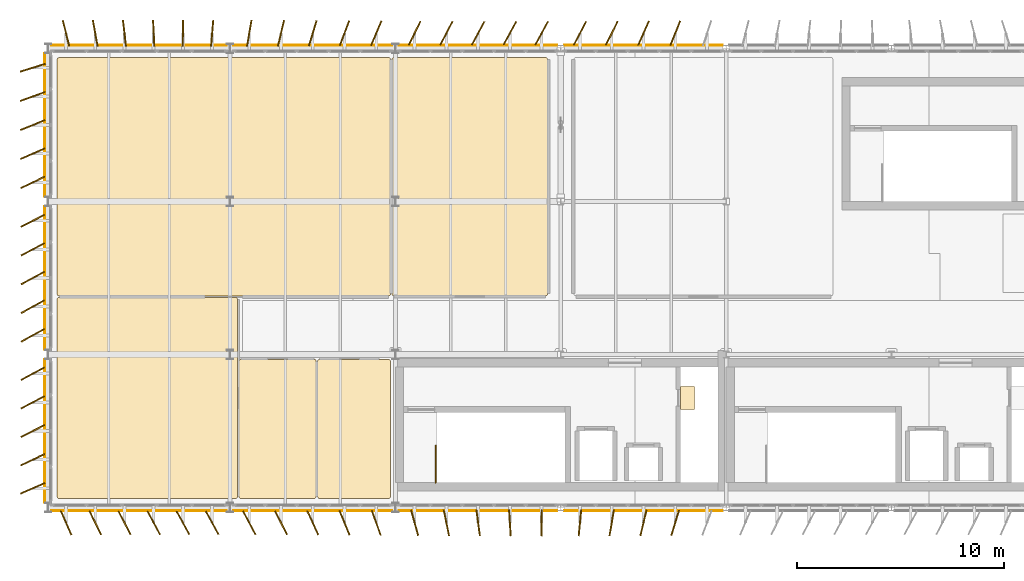
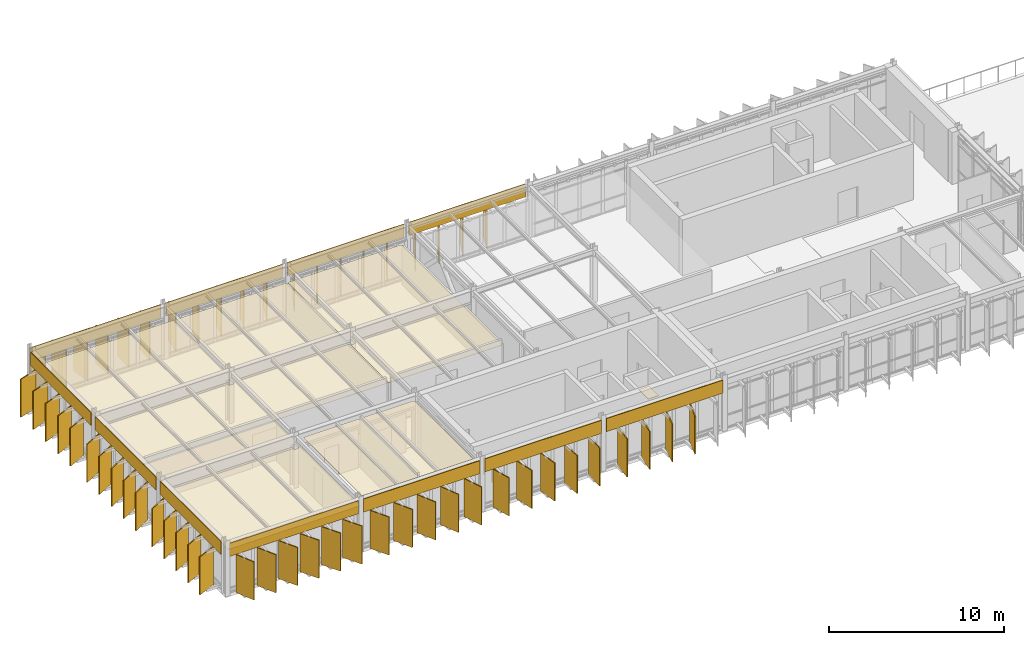
# One storey, part 18 of 20: 72 coverings, 1 railing.
"""IFC4 building model written with IfcOpenShell, lengths in metres."""

from ifc_helpers import new_model, si_unit, direction, frame, frame_2d, origin, origin_2d, place, context, subcontext, project, spatial, polyline, rectangle, circle, outline, extrude, material, layer, layer_set, type_object, element, save


model = new_model("IFC4")

# Units and contexts
model_context = context("Model", 3, precision=1e-05, world=origin(), true_north=direction((0.0, 1.0)))
body_context = subcontext(model_context, "Body", "Model", "MODEL_VIEW")
ifc_project = project(units=[si_unit("LENGTHUNIT", "METRE"), si_unit("AREAUNIT", "SQUARE_METRE"), si_unit("VOLUMEUNIT", "CUBIC_METRE"), si_unit("PLANEANGLEUNIT", "RADIAN"), si_unit("MASSUNIT", "GRAM", prefix="KILO")], contexts=[model_context])

# Site, building, storey
site_placement = place(None, origin())
site = spatial("IfcSite", under=ifc_project, at=site_placement, CompositionType="ELEMENT")
building_placement = place(site_placement, origin())
building = spatial("IfcBuilding", under=site, at=building_placement, Name="Valkorina Park Police Headquarters", CompositionType="ELEMENT")
storey_placement = place(building_placement, frame((0.0, 0.0, 31.10009765625)))
storey = spatial("IfcBuildingStorey", under=building, at=storey_placement, Name="L08", CompositionType="ELEMENT", Elevation=31.10009765625)

# Coverings
ifc_material_1 = material(Name="Acoustic mineral board")
ifc_layer_1 = layer(ifc_material_1, 0.02490234375)
ifc_layer_set_1 = layer_set([ifc_layer_1], Name="Acoustic mineral board")
covering_type_1 = type_object("IfcCoveringType", Name="COV-CEILING-ACOUST", PredefinedType="CEILING", material=ifc_layer_set_1)
covering_1_placement = place(storey_placement, frame((0.0, 0.0, 2.69482421875)))
element("IfcCovering", 1, at=covering_1_placement, inside=storey, type_object=covering_type_1, Name="Chief of Police Directorate Boardroom Acoustic Suspended Ceiling", PredefinedType="CEILING", context=body_context, shape_type="SweptSolid", body=[
    extrude(outline(polyline([(16.49560546875, 58.758544921875), (16.48779296875, 58.759521484375), (16.47998046875, 58.760009765625), (0.52001953125, 58.760009765625), (0.51220703125, 58.759521484375), (0.50439453125, 58.758544921875), (0.496826171875, 58.756591796875), (0.489501953125, 58.75390625), (0.482421875, 58.75048828125), (0.4755859375, 58.74658203125), (0.46923828125, 58.74169921875), (0.46337890625, 58.736572265625), (0.458251953125, 58.730712890625), (0.45361328125, 58.724365234375), (0.449462890625, 58.7177734375), (0.446044921875, 58.710693359375), (0.443359375, 58.703125), (0.44140625, 58.695556640625), (0.4404296875, 58.687744140625), (0.43994140625, 58.679931640625), (0.43994140625, 47.320068359375), (0.4404296875, 47.312255859375), (0.44140625, 47.304443359375), (0.443359375, 47.296875), (0.446044921875, 47.289306640625), (0.449462890625, 47.2822265625), (0.45361328125, 47.275634765625), (0.458251953125, 47.269287109375), (0.46337890625, 47.263427734375), (0.46923828125, 47.25830078125), (0.4755859375, 47.25341796875), (0.482421875, 47.24951171875), (0.489501953125, 47.24609375), (0.496826171875, 47.243408203125), (0.50439453125, 47.241455078125), (0.51220703125, 47.240478515625), (0.52001953125, 47.239990234375), (16.47998046875, 47.239990234375), (16.48779296875, 47.240478515625), (16.49560546875, 47.241455078125), (16.503173828125, 47.243408203125), (16.510498046875, 47.24609375), (16.517578125, 47.24951171875), (16.5244140625, 47.25341796875), (16.53076171875, 47.25830078125), (16.53662109375, 47.263427734375), (16.541748046875, 47.269287109375), (16.54638671875, 47.275634765625), (16.550537109375, 47.2822265625), (16.553955078125, 47.289306640625), (16.556640625, 47.296875), (16.55859375, 47.304443359375), (16.5595703125, 47.312255859375), (16.56005859375, 47.320068359375), (16.56005859375, 58.679931640625), (16.5595703125, 58.687744140625), (16.55859375, 58.695556640625), (16.556640625, 58.703125), (16.553955078125, 58.710693359375), (16.550537109375, 58.7177734375), (16.54638671875, 58.724365234375), (16.541748046875, 58.730712890625), (16.53662109375, 58.736572265625), (16.53076171875, 58.74169921875), (16.5244140625, 58.74658203125), (16.517578125, 58.75048828125), (16.510498046875, 58.75390625), (16.503173828125, 58.756591796875), (16.49560546875, 58.758544921875)]), holes=[polyline([(8.64990234375, 51.574951171875), (8.64990234375, 52.02490234375), (8.949951171875, 52.02490234375), (8.949951171875, 51.574951171875), (8.64990234375, 51.574951171875)])]), origin(), (0.0, 0.0, 1.0), 0.025146484375),
])
covering_2_placement = place(storey_placement, frame((0.0, 0.0, 2.69482421875)))
element("IfcCovering", 2, at=covering_2_placement, inside=storey, type_object=covering_type_1, Name="Chief and Deputy Commissioners Suites Acoustic Suspended Ceiling", PredefinedType="CEILING", context=body_context, shape_type="SweptSolid", body=[
    extrude(outline(polyline([(24.095703125, 58.758544921875), (24.087890625, 58.759521484375), (24.080078125, 58.760009765625), (16.719970703125, 58.760009765625), (16.712158203125, 58.759521484375), (16.704345703125, 58.758544921875), (16.69677734375, 58.756591796875), (16.689453125, 58.75390625), (16.682373046875, 58.75048828125), (16.675537109375, 58.74658203125), (16.669189453125, 58.74169921875), (16.663330078125, 58.736572265625), (16.658203125, 58.730712890625), (16.653564453125, 58.724365234375), (16.6494140625, 58.7177734375), (16.64599609375, 58.710693359375), (16.643310546875, 58.703125), (16.6416015625, 58.695556640625), (16.640380859375, 58.687744140625), (16.639892578125, 58.679931640625), (16.639892578125, 52.06494140625), (16.640380859375, 52.05712890625), (16.6416015625, 52.04931640625), (16.643310546875, 52.041748046875), (16.64599609375, 52.034423828125), (16.6494140625, 52.02734375), (16.65087890625, 52.02490234375), (16.949951171875, 52.02490234375), (16.949951171875, 51.574951171875), (16.65087890625, 51.574951171875), (16.6494140625, 51.57275390625), (16.64599609375, 51.565673828125), (16.643310546875, 51.55810546875), (16.6416015625, 51.550537109375), (16.640380859375, 51.542724609375), (16.639892578125, 51.534912109375), (16.639892578125, 47.320068359375), (16.640380859375, 47.312255859375), (16.6416015625, 47.304443359375), (16.643310546875, 47.296875), (16.64599609375, 47.289306640625), (16.6494140625, 47.2822265625), (16.653564453125, 47.275634765625), (16.658203125, 47.269287109375), (16.663330078125, 47.263427734375), (16.669189453125, 47.25830078125), (16.675537109375, 47.25341796875), (16.682373046875, 47.24951171875), (16.689453125, 47.24609375), (16.69677734375, 47.243408203125), (16.704345703125, 47.241455078125), (16.712158203125, 47.240478515625), (16.719970703125, 47.239990234375), (24.080078125, 47.239990234375), (24.087890625, 47.240478515625), (24.095703125, 47.241455078125), (24.103271484375, 47.243408203125), (24.110595703125, 47.24609375), (24.11767578125, 47.24951171875), (24.12451171875, 47.25341796875), (24.130859375, 47.25830078125), (24.13671875, 47.263427734375), (24.141845703125, 47.269287109375), (24.146484375, 47.275634765625), (24.150634765625, 47.2822265625), (24.15380859375, 47.289306640625), (24.156494140625, 47.296875), (24.158447265625, 47.304443359375), (24.15966796875, 47.312255859375), (24.159912109375, 47.320068359375), (24.159912109375, 58.679931640625), (24.15966796875, 58.687744140625), (24.158447265625, 58.695556640625), (24.156494140625, 58.703125), (24.15380859375, 58.710693359375), (24.150634765625, 58.7177734375), (24.146484375, 58.724365234375), (24.141845703125, 58.730712890625), (24.13671875, 58.736572265625), (24.130859375, 58.74169921875), (24.12451171875, 58.74658203125), (24.11767578125, 58.75048828125), (24.110595703125, 58.75390625), (24.103271484375, 58.756591796875), (24.095703125, 58.758544921875)])), origin(), (0.0, 0.0, 1.0), 0.025146484375),
])
covering_3_placement = place(storey_placement, frame((0.0, 0.0, 2.69482421875)))
element("IfcCovering", 3, at=covering_3_placement, inside=storey, type_object=covering_type_1, Name="Executive Secretariat and Protocol Lounge Acoustic Suspended Ceiling", PredefinedType="CEILING", context=body_context, shape_type="SweptSolid", body=[
    extrude(outline(polyline([(9.095703125, 47.158447265625), (9.087890625, 47.15966796875), (9.080078125, 47.159912109375), (0.52001953125, 47.159912109375), (0.51220703125, 47.15966796875), (0.50439453125, 47.158447265625), (0.496826171875, 47.156494140625), (0.489501953125, 47.15380859375), (0.482421875, 47.150634765625), (0.4755859375, 47.146484375), (0.46923828125, 47.141845703125), (0.46337890625, 47.13671875), (0.458251953125, 47.130859375), (0.45361328125, 47.12451171875), (0.449462890625, 47.11767578125), (0.446044921875, 47.110595703125), (0.443359375, 47.103271484375), (0.44140625, 47.095703125), (0.4404296875, 47.087890625), (0.43994140625, 47.080078125), (0.43994140625, 37.52001953125), (0.4404296875, 37.51220703125), (0.44140625, 37.50439453125), (0.443359375, 37.496826171875), (0.446044921875, 37.489501953125), (0.449462890625, 37.482421875), (0.45361328125, 37.4755859375), (0.458251953125, 37.46923828125), (0.46337890625, 37.46337890625), (0.46923828125, 37.458251953125), (0.4755859375, 37.45361328125), (0.482421875, 37.449462890625), (0.489501953125, 37.446044921875), (0.496826171875, 37.443359375), (0.50439453125, 37.44140625), (0.51220703125, 37.4404296875), (0.52001953125, 37.43994140625), (9.080078125, 37.43994140625), (9.087890625, 37.4404296875), (9.095703125, 37.44140625), (9.103271484375, 37.443359375), (9.110595703125, 37.446044921875), (9.11767578125, 37.449462890625), (9.12451171875, 37.45361328125), (9.130859375, 37.458251953125), (9.13671875, 37.46337890625), (9.141845703125, 37.46923828125), (9.146484375, 37.4755859375), (9.150634765625, 37.482421875), (9.15380859375, 37.489501953125), (9.156494140625, 37.496826171875), (9.158447265625, 37.50439453125), (9.15966796875, 37.51220703125), (9.159912109375, 37.52001953125), (9.159912109375, 47.080078125), (9.15966796875, 47.087890625), (9.158447265625, 47.095703125), (9.156494140625, 47.103271484375), (9.15380859375, 47.110595703125), (9.150634765625, 47.11767578125), (9.146484375, 47.12451171875), (9.141845703125, 47.130859375), (9.13671875, 47.13671875), (9.130859375, 47.141845703125), (9.12451171875, 47.146484375), (9.11767578125, 47.150634765625), (9.110595703125, 47.15380859375), (9.103271484375, 47.156494140625), (9.095703125, 47.158447265625)]), holes=[polyline([(8.64990234375, 44.175048828125), (8.64990234375, 44.625), (8.949951171875, 44.625), (8.949951171875, 44.175048828125), (8.64990234375, 44.175048828125)])]), origin(), (0.0, 0.0, 1.0), 0.025146484375),
])
covering_4_placement = place(storey_placement, frame((0.0, 0.0, 3.35498046875)))
element("IfcCovering", 4, at=covering_4_placement, inside=storey, type_object=covering_type_1, Name="L08 Male WC Acoustic Suspended Ceiling", PredefinedType="CEILING", context=body_context, shape_type="SweptSolid", body=[
    extrude(outline(polyline([(12.8955078125, 44.158447265625), (12.8876953125, 44.15966796875), (12.8798828125, 44.159912109375), (9.320068359375, 44.159912109375), (9.312255859375, 44.15966796875), (9.304443359375, 44.158447265625), (9.296875, 44.156494140625), (9.289306640625, 44.15380859375), (9.2822265625, 44.150634765625), (9.275634765625, 44.146484375), (9.269287109375, 44.141845703125), (9.263427734375, 44.13671875), (9.25830078125, 44.130859375), (9.25341796875, 44.12451171875), (9.24951171875, 44.11767578125), (9.24609375, 44.110595703125), (9.243408203125, 44.103271484375), (9.241455078125, 44.095703125), (9.240478515625, 44.087890625), (9.239990234375, 44.080078125), (9.239990234375, 37.52001953125), (9.240478515625, 37.51220703125), (9.241455078125, 37.50439453125), (9.243408203125, 37.496826171875), (9.24609375, 37.489501953125), (9.24951171875, 37.482421875), (9.25341796875, 37.4755859375), (9.25830078125, 37.46923828125), (9.263427734375, 37.46337890625), (9.269287109375, 37.458251953125), (9.275634765625, 37.45361328125), (9.2822265625, 37.449462890625), (9.289306640625, 37.446044921875), (9.296875, 37.443359375), (9.304443359375, 37.44140625), (9.312255859375, 37.4404296875), (9.320068359375, 37.43994140625), (12.8798828125, 37.43994140625), (12.8876953125, 37.4404296875), (12.8955078125, 37.44140625), (12.9033203125, 37.443359375), (12.91064453125, 37.446044921875), (12.917724609375, 37.449462890625), (12.92431640625, 37.45361328125), (12.930908203125, 37.458251953125), (12.9365234375, 37.46337890625), (12.94189453125, 37.46923828125), (12.946533203125, 37.4755859375), (12.95068359375, 37.482421875), (12.953857421875, 37.489501953125), (12.95654296875, 37.496826171875), (12.95849609375, 37.50439453125), (12.959716796875, 37.51220703125), (12.9599609375, 37.52001953125), (12.9599609375, 44.080078125), (12.959716796875, 44.087890625), (12.95849609375, 44.095703125), (12.95654296875, 44.103271484375), (12.953857421875, 44.110595703125), (12.95068359375, 44.11767578125), (12.946533203125, 44.12451171875), (12.94189453125, 44.130859375), (12.9365234375, 44.13671875), (12.930908203125, 44.141845703125), (12.92431640625, 44.146484375), (12.917724609375, 44.150634765625), (12.91064453125, 44.15380859375), (12.9033203125, 44.156494140625), (12.8955078125, 44.158447265625)])), origin(), (0.0, 0.0, 1.0), 0.02490234375),
])
covering_5_placement = place(storey_placement, frame((0.0, 0.0, 3.35498046875)))
element("IfcCovering", 5, at=covering_5_placement, inside=storey, type_object=covering_type_1, Name="L08 Female WC Acoustic Suspended Ceiling", PredefinedType="CEILING", context=body_context, shape_type="SweptSolid", body=[
    extrude(outline(polyline([(16.49560546875, 44.158447265625), (16.48779296875, 44.15966796875), (16.47998046875, 44.159912109375), (13.1201171875, 44.159912109375), (13.1123046875, 44.15966796875), (13.1044921875, 44.158447265625), (13.0966796875, 44.156494140625), (13.08935546875, 44.15380859375), (13.082275390625, 44.150634765625), (13.07568359375, 44.146484375), (13.069091796875, 44.141845703125), (13.0634765625, 44.13671875), (13.05810546875, 44.130859375), (13.053466796875, 44.12451171875), (13.04931640625, 44.11767578125), (13.046142578125, 44.110595703125), (13.04345703125, 44.103271484375), (13.04150390625, 44.095703125), (13.040283203125, 44.087890625), (13.0400390625, 44.080078125), (13.0400390625, 37.52001953125), (13.040283203125, 37.51220703125), (13.04150390625, 37.50439453125), (13.04345703125, 37.496826171875), (13.046142578125, 37.489501953125), (13.04931640625, 37.482421875), (13.053466796875, 37.4755859375), (13.05810546875, 37.46923828125), (13.0634765625, 37.46337890625), (13.069091796875, 37.458251953125), (13.07568359375, 37.45361328125), (13.082275390625, 37.449462890625), (13.08935546875, 37.446044921875), (13.0966796875, 37.443359375), (13.1044921875, 37.44140625), (13.1123046875, 37.4404296875), (13.1201171875, 37.43994140625), (16.47998046875, 37.43994140625), (16.48779296875, 37.4404296875), (16.49560546875, 37.44140625), (16.503173828125, 37.443359375), (16.510498046875, 37.446044921875), (16.517578125, 37.449462890625), (16.5244140625, 37.45361328125), (16.53076171875, 37.458251953125), (16.53662109375, 37.46337890625), (16.541748046875, 37.46923828125), (16.54638671875, 37.4755859375), (16.550537109375, 37.482421875), (16.553955078125, 37.489501953125), (16.556640625, 37.496826171875), (16.55859375, 37.50439453125), (16.5595703125, 37.51220703125), (16.56005859375, 37.52001953125), (16.56005859375, 44.080078125), (16.5595703125, 44.087890625), (16.55859375, 44.095703125), (16.556640625, 44.103271484375), (16.553955078125, 44.110595703125), (16.550537109375, 44.11767578125), (16.54638671875, 44.12451171875), (16.541748046875, 44.130859375), (16.53662109375, 44.13671875), (16.53076171875, 44.141845703125), (16.5244140625, 44.146484375), (16.517578125, 44.150634765625), (16.510498046875, 44.15380859375), (16.503173828125, 44.156494140625), (16.49560546875, 44.158447265625)])), origin(), (0.0, 0.0, 1.0), 0.02490234375),
])
ifc_material_2 = material(Name="Precast concrete C40/50", Category="concrete")
ifc_layer_2 = layer(ifc_material_2, 0.044921875)
ifc_layer_set_2 = layer_set([ifc_layer_2], Name="Precast concrete C40/50")
covering_type_2 = type_object("IfcCoveringType", Name="COV-CLAD-DOLOMITE", PredefinedType="CLADDING", material=ifc_layer_set_2)
for number, where, z_axis, x_axis, name in (
    (6, (32.639892578125, 36.840087890625, 2.7099609375), (0.0, 0.0, 1.0), (-1.0, 0.0, 0.0), "L08 Spandrel Beam Insulated Fascia 2579"),
    (7, (24.639892578125, 36.840087890625, 2.7099609375), (0.0, 0.0, 1.0), (-1.0, 0.0, 0.0), "L08 Spandrel Beam Insulated Fascia 2580"),
    (8, (16.639892578125, 36.840087890625, 2.7099609375), (0.0, 0.0, 1.0), (-1.0, 0.0, 0.0), "L08 Spandrel Beam Insulated Fascia 2581"),
):
    element("IfcCovering", number, at=place(storey_placement, frame(where, z_axis=z_axis, x_axis=x_axis)), inside=storey, type_object=covering_type_2, Name=name, PredefinedType="CLADDING", context=body_context, shape_type="SweptSolid", body=[
        extrude(rectangle(XDim=7.679931640625, YDim=0.044921875, at=frame_2d((3.83984375, 0.0))), origin(), (0.0, 0.0, 1.0), 0.909912109375),
    ])
covering_6_placement = place(storey_placement, frame((8.639892578125, 36.840087890625, 2.7099609375), z_axis=(0.0, 0.0, 1.0), x_axis=(-1.0, 0.0, 0.0)))
element("IfcCovering", 9, at=covering_6_placement, inside=storey, type_object=covering_type_2, Name="L08 Spandrel Beam Insulated Fascia 2582", PredefinedType="CLADDING", context=body_context, shape_type="SweptSolid", body=[
    extrude(rectangle(XDim=8.47998046875, YDim=0.044921875, at=frame_2d((4.239990234375, 0.0))), origin(), (0.0, 0.0, 1.0), 0.909912109375),
])
for number, where, z_axis, x_axis, name in (
    (10, (-0.159912109375, 37.235107421875, 2.7099609375), (0.0, 0.0, 1.0), (0.0, 1.0, 0.0), "L08 Spandrel Beam Insulated Fascia 2583"),
    (11, (-0.159912109375, 44.635009765625, 2.7099609375), (0.0, 0.0, 1.0), (0.0, 1.0, 0.0), "L08 Spandrel Beam Insulated Fascia 2584"),
):
    element("IfcCovering", number, at=place(storey_placement, frame(where, z_axis=z_axis, x_axis=x_axis)), inside=storey, type_object=covering_type_2, Name=name, PredefinedType="CLADDING", context=body_context, shape_type="SweptSolid", body=[
        extrude(rectangle(XDim=6.929931640625, YDim=0.044921875, at=frame_2d((3.46484375, 0.0))), origin(), (0.0, 0.0, 1.0), 0.909912109375),
    ])
covering_7_placement = place(storey_placement, frame((-0.159912109375, 52.034912109375, 2.7099609375), z_axis=(0.0, 0.0, 1.0), x_axis=(0.0, 1.0, 0.0)))
element("IfcCovering", 12, at=covering_7_placement, inside=storey, type_object=covering_type_2, Name="L08 Spandrel Beam Insulated Fascia 2585", PredefinedType="CLADDING", context=body_context, shape_type="SweptSolid", body=[
    extrude(rectangle(XDim=6.93017578125, YDim=0.044921875, at=frame_2d((3.465087890625, 0.0))), origin(), (0.0, 0.0, 1.0), 0.909912109375),
])
covering_8_placement = place(storey_placement, frame((0.159912109375, 59.360107421875, 2.7099609375), z_axis=(0.0, 0.0, 1.0), x_axis=(1.0, 0.0, 0.0)))
element("IfcCovering", 13, at=covering_8_placement, inside=storey, type_object=covering_type_2, Name="L08 Spandrel Beam Insulated Fascia 2586", PredefinedType="CLADDING", context=body_context, shape_type="SweptSolid", body=[
    extrude(rectangle(XDim=8.47998046875, YDim=0.044921875, at=frame_2d((4.239990234375, 0.0))), origin(), (0.0, 0.0, 1.0), 0.909912109375),
])
for number, where, z_axis, x_axis, name in (
    (14, (8.9599609375, 59.360107421875, 2.7099609375), (0.0, 0.0, 1.0), (1.0, 0.0, 0.0), "L08 Spandrel Beam Insulated Fascia 2587"),
    (15, (16.9599609375, 59.360107421875, 2.7099609375), (0.0, 0.0, 1.0), (1.0, 0.0, 0.0), "L08 Spandrel Beam Insulated Fascia 2588"),
    (16, (24.9599609375, 59.360107421875, 2.7099609375), (0.0, 0.0, 1.0), (1.0, 0.0, 0.0), "L08 Spandrel Beam Insulated Fascia 2589"),
):
    element("IfcCovering", number, at=place(storey_placement, frame(where, z_axis=z_axis, x_axis=x_axis)), inside=storey, type_object=covering_type_2, Name=name, PredefinedType="CLADDING", context=body_context, shape_type="SweptSolid", body=[
        extrude(rectangle(XDim=7.679931640625, YDim=0.044921875, at=frame_2d((3.83984375, 0.0))), origin(), (0.0, 0.0, 1.0), 0.909912109375),
    ])
ifc_material_3 = material(Name="Resin terrazzo flooring")
ifc_layer_3 = layer(ifc_material_3, 0.030029296875)
ifc_layer_set_3 = layer_set([ifc_layer_3], Name="Resin terrazzo flooring")
covering_type_3 = type_object("IfcCoveringType", Name="COV-FLOOR-TERRAZZO", PredefinedType="FLOORING", material=ifc_layer_set_3)
covering_9_placement = place(storey_placement, origin())
element("IfcCovering", 17, at=covering_9_placement, inside=storey, type_object=covering_type_3, Name="Core C1 L08 Riser Inspection Threshold Grate", PredefinedType="FLOORING", context=body_context, shape_type="SweptSolid", body=[
    extrude(outline(polyline([(31.280029296875, 41.75), (31.280029296875, 42.85009765625), (30.580078125, 42.85009765625), (30.580078125, 41.75), (31.280029296875, 41.75)])), origin(), (0.0, 0.0, 1.0), 0.02978515625),
])

# Railing
ifc_material_4 = material(Name="Stainless steel EN 1.4404", Category="steel")
railing_type = type_object("IfcRailingType", Name="RL-GUARD-INT-1100", PredefinedType="BALUSTRADE", material=ifc_material_4)
railing_placement = place(storey_placement, frame((18.75, 38.199951171875, 0.0)))
element("IfcRailing", 18, at=railing_placement, inside=storey, type_object=railing_type, Name="L08 Core C1 Top Well Guard 1", PredefinedType="BALUSTRADE", context=body_context, shape_type="SweptSolid", body=[
    extrude(circle(Radius=0.02392578125, at=origin_2d()), frame((0.0, 0.0, 1.09619140625), z_axis=(0.0, 1.0, 0.0), x_axis=(-1.0, 0.0, 0.0)), (0.0, 0.0, 1.0), 1.800048828125),
    extrude(circle(Radius=0.02099609375, at=origin_2d()), origin(), (0.0, 0.0, 1.0), 1.072021484375),
    extrude(circle(Radius=0.02099609375, at=origin_2d()), frame((0.0, 0.89990234375, 0.0)), (0.0, 0.0, 1.0), 1.072021484375),
    extrude(circle(Radius=0.02099609375, at=origin_2d()), frame((0.0, 1.800048828125, 0.0)), (0.0, 0.0, 1.0), 1.072021484375),
])

# Coverings
ifc_material_5 = material(Name="Polychrome anodized aluminium - Baltic Amber", Category="aluminium")
ifc_layer_4 = layer(ifc_material_5, 0.06494140625)
ifc_layer_set_4 = layer_set([ifc_layer_4], Name="Polychrome anodized aluminium - Baltic Amber")
covering_type_4 = type_object("IfcCoveringType", Name="SHD-LOUVRE-AMBER", PredefinedType="CLADDING", material=ifc_layer_set_4)
for number, where, z_axis, x_axis, name in (
    (19, (30.3359375, 36.260009765625, 0.0400390625), (0.0, 0.0, 1.0), (-0.294707522925, -0.955587503022, 0.0), "V5 Polychrome Pivoting Louvre 0595"),
    (20, (23.8720703125, 36.260009765625, 0.0400390625), (0.0, 0.0, 1.0), (-0.009075587519, -0.999958816008, 0.0), "V5 Polychrome Pivoting Louvre 0599"),
    (21, (17.72802734375, 36.260009765625, 0.0400390625), (0.0, 0.0, 1.0), (0.267911051866, -0.963443650811, 0.0), "V5 Polychrome Pivoting Louvre 0603"),
    (22, (11.263916015625, 36.260009765625, 0.0400390625), (0.0, 0.0, 1.0), (0.451033319435, -0.892507111882, 0.0), "V5 Polychrome Pivoting Louvre 0607"),
    (23, (5.106689453125, 36.260009765625, 0.0400390625), (0.0, 0.0, 1.0), (0.476545113943, -0.879150018129, 0.0), "V5 Polychrome Pivoting Louvre 0611"),
    (24, (-0.739990234375, 39.31396484375, 0.0400390625), (0.0, 0.0, 1.0), (-0.903559758936, -0.428462089374, 0.0), "V5 Polychrome Pivoting Louvre 0616"),
    (25, (-0.739990234375, 45.327880859375, 0.0400390625), (0.0, 0.0, 1.0), (-0.874957954937, -0.484198902407, 0.0), "V5 Polychrome Pivoting Louvre 0620"),
    (26, (-0.739990234375, 50.8720703125, 0.0400390625), (0.0, 0.0, 1.0), (-0.889974159838, -0.456010959102, 0.0), "V5 Polychrome Pivoting Louvre 0624"),
    (27, (-0.739990234375, 56.885986328125, 0.0400390625), (0.0, 0.0, 1.0), (-0.940050268133, -0.341035912161, 0.0), "V5 Polychrome Pivoting Louvre 0628"),
    (28, (3.693359375, 59.93994140625, 0.0400390625), (0.0, 0.0, 1.0), (-0.117017411942, 0.993129863262, 0.0), "V5 Polychrome Pivoting Louvre 0632"),
    (29, (11.263916015625, 59.93994140625, 0.0400390625), (0.0, 0.0, 1.0), (0.233954463532, 0.972247555406, 0.0), "V5 Polychrome Pivoting Louvre 0637"),
    (30, (17.72802734375, 59.93994140625, 0.0400390625), (0.0, 0.0, 1.0), (0.435859534333, 0.900014703397, 0.0), "V5 Polychrome Pivoting Louvre 0641"),
    (31, (23.8720703125, 59.93994140625, 0.0400390625), (0.0, 0.0, 1.0), (0.482059533482, 0.876138462904, 0.0), "V5 Polychrome Pivoting Louvre 0645"),
    (32, (30.3359375, 59.93994140625, 0.0400390625), (0.0, 0.0, 1.0), (0.369422406303, 0.929261580892, 0.0), "V5 Polychrome Pivoting Louvre 0649"),
):
    element("IfcCovering", number, at=place(storey_placement, frame(where, z_axis=z_axis, x_axis=x_axis)), inside=storey, type_object=covering_type_4, Name=name, PredefinedType="CLADDING", context=body_context, shape_type="SweptSolid", body=[
        extrude(rectangle(XDim=1.280029296875, YDim=0.06494140625, at=origin_2d()), origin(), (0.0, 0.0, 1.0), 2.64990234375),
    ])
ifc_material_6 = material(Name="Polychrome anodized aluminium - Riga Ochre", Category="aluminium")
ifc_layer_5 = layer(ifc_material_6, 0.06494140625)
ifc_layer_set_5 = layer_set([ifc_layer_5], Name="Polychrome anodized aluminium - Riga Ochre")
covering_type_5 = type_object("IfcCoveringType", Name="SHD-LOUVRE-OCHRE", PredefinedType="CLADDING", material=ifc_layer_set_5)
for number, where, z_axis, x_axis, name in (
    (33, (27.263916015625, 36.260009765625, 0.0400390625), (0.0, 0.0, 1.0), (-0.168145293887, -0.985762222924, 0.0), "V5 Polychrome Pivoting Louvre 0597"),
    (34, (20.800048828125, 36.260009765625, 0.0400390625), (0.0, 0.0, 1.0), (0.13640721178, -0.990652851697, 0.0), "V5 Polychrome Pivoting Louvre 0601"),
    (35, (14.3359375, 36.260009765625, 0.0400390625), (0.0, 0.0, 1.0), (0.382683432365, -0.923879532511, 0.0), "V5 Polychrome Pivoting Louvre 0605"),
    (36, (7.933349609375, 36.260009765625, 0.0400390625), (0.0, 0.0, 1.0), (0.483587948575, -0.875295776291, 0.0), "V5 Polychrome Pivoting Louvre 0609"),
    (37, (2.280029296875, 36.260009765625, 0.0400390625), (0.0, 0.0, 1.0), (0.437586634199, -0.899176255008, 0.0), "V5 Polychrome Pivoting Louvre 0613"),
    (38, (-0.739990234375, 42.0859375, 0.0400390625), (0.0, 0.0, 1.0), (-0.885150113672, -0.465305573002, 0.0), "V5 Polychrome Pivoting Louvre 0618"),
    (39, (-0.739990234375, 48.10009765625, 0.0400390625), (0.0, 0.0, 1.0), (-0.87748120917, -0.479611016922, 0.0), "V5 Polychrome Pivoting Louvre 0622"),
    (40, (-0.739990234375, 54.114013671875, 0.0400390625), (0.0, 0.0, 1.0), (-0.914536574598, -0.404503218432, 0.0), "V5 Polychrome Pivoting Louvre 0626"),
    (41, (0.86669921875, 59.93994140625, 0.0400390625), (0.0, 0.0, 1.0), (-0.241413816807, 0.970422263272, 0.0), "V5 Polychrome Pivoting Louvre 0630"),
    (42, (6.52001953125, 59.93994140625, 0.0400390625), (0.0, 0.0, 1.0), (0.017452406437, 0.999847695156, 0.0), "V5 Polychrome Pivoting Louvre 0634"),
    (43, (14.3359375, 59.93994140625, 0.0400390625), (0.0, 0.0, 1.0), (0.347590336971, 0.937646499297, 0.0), "V5 Polychrome Pivoting Louvre 0639"),
    (44, (20.800048828125, 59.93994140625, 0.0400390625), (0.0, 0.0, 1.0), (0.477618842395, 0.878567152464, 0.0), "V5 Polychrome Pivoting Louvre 0643"),
    (45, (27.263916015625, 59.93994140625, 0.0400390625), (0.0, 0.0, 1.0), (0.443227650474, 0.896409086219, 0.0), "V5 Polychrome Pivoting Louvre 0647"),
):
    element("IfcCovering", number, at=place(storey_placement, frame(where, z_axis=z_axis, x_axis=x_axis)), inside=storey, type_object=covering_type_5, Name=name, PredefinedType="CLADDING", context=body_context, shape_type="SweptSolid", body=[
        extrude(rectangle(XDim=1.280029296875, YDim=0.06494140625, at=origin_2d()), origin(), (0.0, 0.0, 1.0), 2.64990234375),
    ])
ifc_material_7 = material(Name="Polychrome anodized aluminium - Courland Slate Blue", Category="masonry")
ifc_layer_6 = layer(ifc_material_7, 0.06494140625)
ifc_layer_set_6 = layer_set([ifc_layer_6], Name="Polychrome anodized aluminium - Courland Slate Blue")
covering_type_6 = type_object("IfcCoveringType", Name="SHD-LOUVRE-SLATE", PredefinedType="CLADDING", material=ifc_layer_set_6)
for number, where, z_axis, x_axis, name in (
    (46, (25.72802734375, 36.260009765625, 0.0400390625), (0.0, 0.0, 1.0), (-0.097582899759, -0.995227399982, 0.0), "V5 Polychrome Pivoting Louvre 0598"),
    (47, (19.263916015625, 36.260009765625, 0.0400390625), (0.0, 0.0, 1.0), (0.204837728554, -0.978795946539, 0.0), "V5 Polychrome Pivoting Louvre 0602"),
    (48, (12.800048828125, 36.260009765625, 0.0400390625), (0.0, 0.0, 1.0), (0.4213524058, -0.90689698981, 0.0), "V5 Polychrome Pivoting Louvre 0606"),
    (49, (6.52001953125, 36.260009765625, 0.0400390625), (0.0, 0.0, 1.0), (0.484046186062, -0.875042450261, 0.0), "V5 Polychrome Pivoting Louvre 0610"),
    (50, (0.86669921875, 36.260009765625, 0.0400390625), (0.0, 0.0, 1.0), (0.406577193121, -0.913616432664, 0.0), "V5 Polychrome Pivoting Louvre 0614"),
    (51, (-0.739990234375, 37.927978515625, 0.0400390625), (0.0, 0.0, 1.0), (-0.915100475986, -0.403225890599, 0.0), "V5 Polychrome Pivoting Louvre 0615"),
    (52, (-0.739990234375, 43.471923828125, 0.0400390625), (0.0, 0.0, 1.0), (-0.879150018129, -0.476545113943, 0.0), "V5 Polychrome Pivoting Louvre 0619"),
    (53, (-0.739990234375, 49.486083984375, 0.0400390625), (0.0, 0.0, 1.0), (-0.882619624736, -0.470087862033, 0.0), "V5 Polychrome Pivoting Louvre 0623"),
    (54, (-0.739990234375, 55.5, 0.0400390625), (0.0, 0.0, 1.0), (-0.927053035713, -0.374930218808, 0.0), "V5 Polychrome Pivoting Louvre 0627"),
    (55, (2.280029296875, 59.93994140625, 0.0400390625), (0.0, 0.0, 1.0), (-0.181205763627, 0.983445204995, 0.0), "V5 Polychrome Pivoting Louvre 0631"),
    (56, (7.933349609375, 59.93994140625, 0.0400390625), (0.0, 0.0, 1.0), (0.084895226275, 0.996389883808, 0.0), "V5 Polychrome Pivoting Louvre 0635"),
    (57, (9.72802734375, 59.93994140625, 0.0400390625), (0.0, 0.0, 1.0), (0.167629126969, 0.985850128464, 0.0), "V5 Polychrome Pivoting Louvre 0636"),
    (58, (15.8720703125, 59.93994140625, 0.0400390625), (0.0, 0.0, 1.0), (0.392818680211, 0.91961594401, 0.0), "V5 Polychrome Pivoting Louvre 0640"),
    (59, (22.3359375, 59.93994140625, 0.0400390625), (0.0, 0.0, 1.0), (0.484504290844, 0.874788884333, 0.0), "V5 Polychrome Pivoting Louvre 0644"),
    (60, (28.800048828125, 59.93994140625, 0.0400390625), (0.0, 0.0, 1.0), (0.410718852613, 0.911762043577, 0.0), "V5 Polychrome Pivoting Louvre 0648"),
):
    element("IfcCovering", number, at=place(storey_placement, frame(where, z_axis=z_axis, x_axis=x_axis)), inside=storey, type_object=covering_type_6, Name=name, PredefinedType="CLADDING", context=body_context, shape_type="SweptSolid", body=[
        extrude(rectangle(XDim=1.280029296875, YDim=0.06494140625, at=origin_2d()), origin(), (0.0, 0.0, 1.0), 2.64990234375),
    ])
ifc_material_8 = material(Name="Polychrome anodized aluminium - Pine Verdigris", Category="aluminium")
ifc_layer_7 = layer(ifc_material_8, 0.06494140625)
ifc_layer_set_7 = layer_set([ifc_layer_7], Name="Polychrome anodized aluminium - Pine Verdigris")
covering_type_7 = type_object("IfcCoveringType", Name="SHD-LOUVRE-VERDIGRIS", PredefinedType="CLADDING", material=ifc_layer_set_7)
for number, where, z_axis, x_axis, name in (
    (61, (28.800048828125, 36.260009765625, 0.0400390625), (0.0, 0.0, 1.0), (-0.234293827692, -0.972165830661, 0.0), "V5 Polychrome Pivoting Louvre 0596"),
    (62, (22.3359375, 36.260009765625, 0.0400390625), (0.0, 0.0, 1.0), (0.064532308253, -0.997915618272, 0.0), "V5 Polychrome Pivoting Louvre 0600"),
    (63, (15.8720703125, 36.260009765625, 0.0400390625), (0.0, 0.0, 1.0), (0.33545156975, -0.942057452787, 0.0), "V5 Polychrome Pivoting Louvre 0604"),
    (64, (9.72802734375, 36.260009765625, 0.0400390625), (0.0, 0.0, 1.0), (0.47147369718, -0.881880123865, 0.0), "V5 Polychrome Pivoting Louvre 0608"),
    (65, (3.693359375, 36.260009765625, 0.0400390625), (0.0, 0.0, 1.0), (0.460974374535, -0.887413447059, 0.0), "V5 Polychrome Pivoting Louvre 0612"),
    (66, (-0.739990234375, 40.699951171875, 0.0400390625), (0.0, 0.0, 1.0), (-0.89344979568, -0.449163069051, 0.0), "V5 Polychrome Pivoting Louvre 0617"),
    (67, (-0.739990234375, 46.714111328125, 0.0400390625), (0.0, 0.0, 1.0), (-0.874957954937, -0.484198902407, 0.0), "V5 Polychrome Pivoting Louvre 0621"),
    (68, (-0.739990234375, 52.72802734375, 0.0400390625), (0.0, 0.0, 1.0), (-0.903035619536, -0.429565675827, 0.0), "V5 Polychrome Pivoting Louvre 0625"),
    (69, (-0.739990234375, 58.27197265625, 0.0400390625), (0.0, 0.0, 1.0), (-0.952926437371, -0.303201591289, 0.0), "V5 Polychrome Pivoting Louvre 0629"),
    (70, (5.106689453125, 59.93994140625, 0.0400390625), (0.0, 0.0, 1.0), (-0.05024431818, 0.998736956606, 0.0), "V5 Polychrome Pivoting Louvre 0633"),
    (71, (12.800048828125, 59.93994140625, 0.0400390625), (0.0, 0.0, 1.0), (0.294207138104, 0.955741680523, 0.0), "V5 Polychrome Pivoting Louvre 0638"),
    (72, (19.263916015625, 59.93994140625, 0.0400390625), (0.0, 0.0, 1.0), (0.461438959919, 0.887171959808, 0.0), "V5 Polychrome Pivoting Louvre 0642"),
    (73, (25.72802734375, 59.93994140625, 0.0400390625), (0.0, 0.0, 1.0), (0.46638664034, 0.884580975215, 0.0), "V5 Polychrome Pivoting Louvre 0646"),
):
    element("IfcCovering", number, at=place(storey_placement, frame(where, z_axis=z_axis, x_axis=x_axis)), inside=storey, type_object=covering_type_7, Name=name, PredefinedType="CLADDING", context=body_context, shape_type="SweptSolid", body=[
        extrude(rectangle(XDim=1.280029296875, YDim=0.06494140625, at=origin_2d()), origin(), (0.0, 0.0, 1.0), 2.64990234375),
    ])

save(model, "model.ifc")
